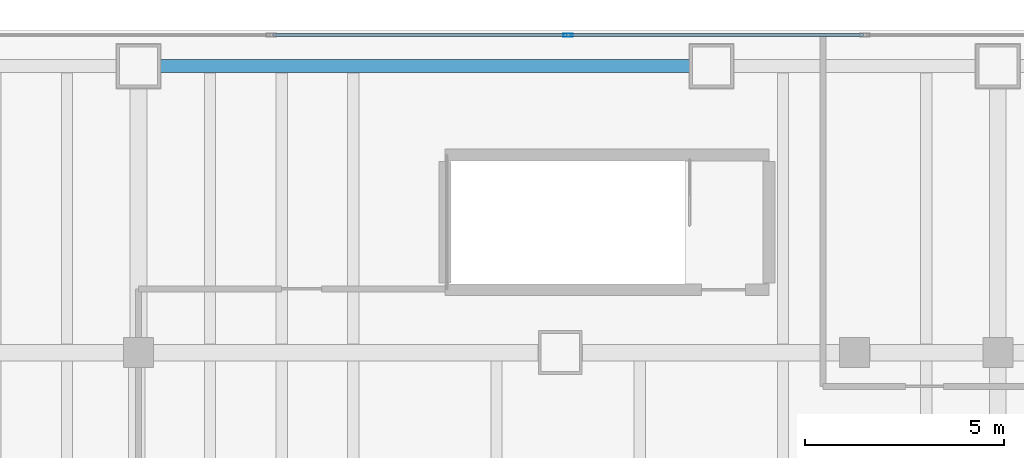
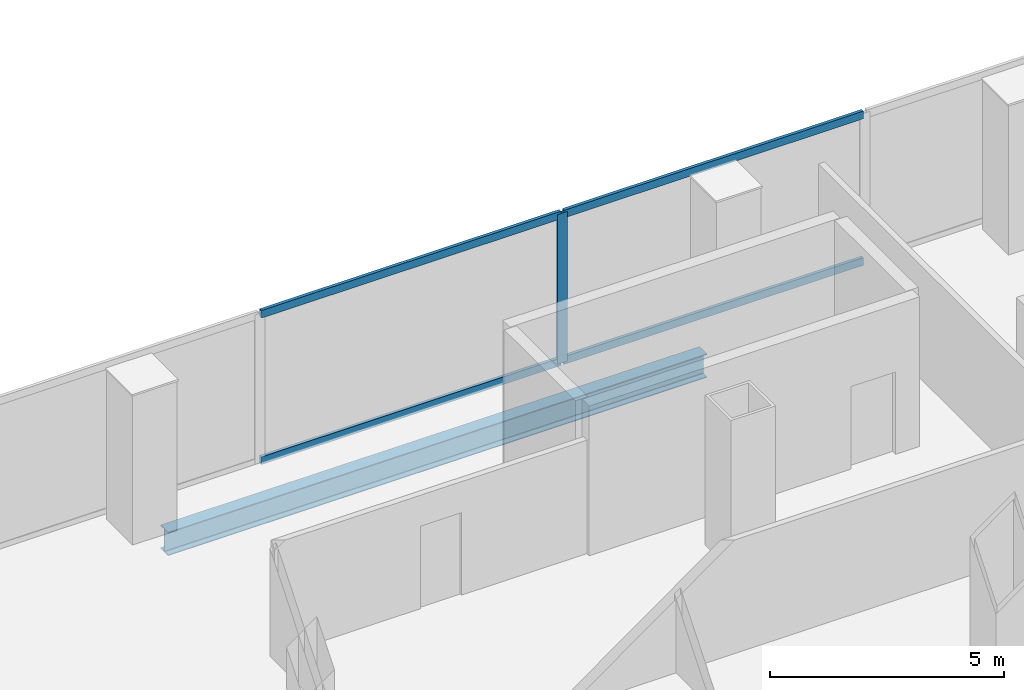
# One storey, part 12 of 32: 5 members, 1 beam, 1 element without a shape of its own.
"""IFC4 building model written with IfcOpenShell, lengths in metres."""

import ifcopenshell
import ifcopenshell.guid

model = None  # the IFC model being written
_history = None  # IfcOwnerHistory: only IFC2X3 demands one
_inside = {}  # id of a spatial element -> (the spatial element, [elements in it])
_under = {}  # id of a project, library or spatial element -> (it, [spatial elements below it])
_declared = {}  # id of a project -> (the project, [libraries it declares])
_typed = {}  # id of a type object -> (the type object, [elements of that type])
_made_of = {}  # id of a material, layer set ... -> (it, [elements and type objects made of it])


def new_model(schema):
    """Start an empty IFC model of exactly this schema.

    Asked for "IFC4X3", IfcOpenShell would pick the latest addendum, in which some entities
    have other attributes; the version numbers below select the first issue.
    IFC2X3 requires an IfcOwnerHistory on every rooted entity: one is made here for all.
    """
    global model, _history
    if schema == "IFC4X3":
        model = ifcopenshell.file(schema_version=(4, 3, 0, 0))
    else:
        model = ifcopenshell.file(schema=schema)
    _inside.clear()
    _under.clear()
    _declared.clear()
    _typed.clear()
    _made_of.clear()
    _history = None
    if model.schema == "IFC2X3":
        org = make("IfcOrganization", Name="unknown")
        user = make(
            "IfcPersonAndOrganization",
            ThePerson=make("IfcPerson", FamilyName="unknown"),
            TheOrganization=org,
        )
        app = make(
            "IfcApplication",
            ApplicationDeveloper=org,
            Version="unknown",
            ApplicationFullName="unknown",
            ApplicationIdentifier="unknown",
        )
        _history = make(
            "IfcOwnerHistory",
            OwningUser=user,
            OwningApplication=app,
            ChangeAction="ADDED",
            CreationDate=0,
        )
    return model


def make(cls, **values):
    """One entity of the class cls with the attributes given. An attribute that is None is left unset."""
    return model.create_entity(
        cls, **{name: value for name, value in values.items() if value is not None}
    )


def rooted(cls, **values):
    """An entity with a GlobalId (a new one), such as an element, a storey or a relation."""
    return make(cls, GlobalId=ifcopenshell.guid.new(), OwnerHistory=_history, **values)


def si_unit(unit_type, name, prefix=None):
    """IfcSIUnit, for example si_unit("LENGTHUNIT", "METRE", prefix="MILLI")."""
    return make("IfcSIUnit", UnitType=unit_type, Prefix=prefix, Name=name)


def assignment(units):
    """IfcUnitAssignment: the units of a project."""
    return None if units is None else make("IfcUnitAssignment", Units=units)


def point(xyz):
    """IfcCartesianPoint."""
    return None if xyz is None else make("IfcCartesianPoint", Coordinates=xyz)


def direction(xyz):
    """IfcDirection."""
    return None if xyz is None else make("IfcDirection", DirectionRatios=xyz)


def frame(location, z_axis=None, x_axis=None):
    """IfcAxis2Placement3D, a coordinate frame: its origin and axes. An axis left out is left unset."""
    return make(
        "IfcAxis2Placement3D",
        Location=point(location),
        Axis=direction(z_axis),
        RefDirection=direction(x_axis),
    )


def frame_2d(location, x_axis=None):
    """IfcAxis2Placement2D, a coordinate frame in the plane: its origin and x axis."""
    return make(
        "IfcAxis2Placement2D", Location=point(location), RefDirection=direction(x_axis)
    )


def origin():
    """The frame at (0, 0, 0) with its axes left unset."""
    return frame((0.0, 0.0, 0.0))


def origin_2d():
    """The frame at (0, 0) in the plane with its x axis left unset."""
    return frame_2d((0.0, 0.0))


def place(relative_to, where):
    """IfcLocalPlacement: puts the frame where relative to a parent placement (None: the world)."""
    return make(
        "IfcLocalPlacement", PlacementRelTo=relative_to, RelativePlacement=where
    )


def context(
    kind, dimensions, precision=None, world=None, true_north=None, identifier=None
):
    """IfcGeometricRepresentationContext, for example the 3D "Model" context."""
    return make(
        "IfcGeometricRepresentationContext",
        ContextIdentifier=identifier,
        ContextType=kind,
        CoordinateSpaceDimension=dimensions,
        Precision=precision,
        WorldCoordinateSystem=world,
        TrueNorth=true_north,
    )


def subcontext(parent, identifier, kind, view, scale=None):
    """IfcGeometricRepresentationSubContext, for example "Body" below "Model"."""
    return make(
        "IfcGeometricRepresentationSubContext",
        ContextIdentifier=identifier,
        ContextType=kind,
        ParentContext=parent,
        TargetScale=scale,
        TargetView=view,
    )


def project(units=None, contexts=None):
    """IfcProject with its units and contexts."""
    return rooted(
        "IfcProject",
        Name="project",
        RepresentationContexts=contexts,
        UnitsInContext=assignment(units),
    )


def spatial(cls, under=None, at=None, **own):
    """A site, building, storey or space (cls), placed at a placement, below another one or the project."""
    s = rooted(cls, ObjectPlacement=at, **own)
    if under is not None:
        _under.setdefault(under.id(), (under, []))[1].append(s)
    return s


def profile(cls, at=None, kind="AREA", **sizes):
    """A parametric profile (cls). Its sizes go by their IFC names, for example OverallWidth=200.0."""
    return make(cls, ProfileType=kind, Position=at, **sizes)


def hollow_rectangle(**sizes):
    """IfcRectangleHollowProfileDef."""
    return profile("IfcRectangleHollowProfileDef", **sizes)


def i_section(**sizes):
    """IfcIShapeProfileDef."""
    return profile("IfcIShapeProfileDef", **sizes)


def extrude(swept, where, along, depth):
    """IfcExtrudedAreaSolid: the profile swept, set in the frame where, extruded along a direction by depth."""
    return make(
        "IfcExtrudedAreaSolid",
        SweptArea=swept,
        Position=where,
        ExtrudedDirection=direction(along),
        Depth=depth,
    )


def shape(context_of_items, identifier, shape_type, items):
    """IfcShapeRepresentation: the items that make up one representation, for example the "Body"."""
    return make(
        "IfcShapeRepresentation",
        ContextOfItems=context_of_items,
        RepresentationIdentifier=identifier,
        RepresentationType=shape_type,
        Items=items,
    )


def material(Name=None, Category=None):
    """IfcMaterial."""
    return make("IfcMaterial", Name=Name, Category=Category)


def material_profile(
    of_material, cross_section, Name=None, Category=None, Priority=None
):
    """IfcMaterialProfile: a cross section and its material."""
    return make(
        "IfcMaterialProfile",
        Name=Name,
        Material=of_material,
        Profile=cross_section,
        Priority=Priority,
        Category=Category,
    )


def profile_set(profiles, Name=None, composite=None):
    """IfcMaterialProfileSet."""
    return make(
        "IfcMaterialProfileSet",
        Name=Name,
        MaterialProfiles=profiles,
        CompositeProfile=composite,
    )


def made_of(thing, what):
    """Note that an element or type object is made of a material, layer set ...; save() writes the relation."""
    if what is not None:
        _made_of.setdefault(what.id(), (what, []))[1].append(thing)
    return thing


def type_object(cls, material=None, **own):
    """A type object (cls), such as IfcWallType, which elements share."""
    return made_of(rooted(cls, **own), material)


def element(
    cls,
    number,
    at=None,
    inside=None,
    cuts=None,
    type_object=None,
    material=None,
    context=None,
    identifier="Body",
    shape_type=None,
    held_by="IfcProductDefinitionShape",
    body=None,
    shapes=None,
    **own,
):
    """One element of the class cls, such as IfcWall. Its Tag is "e" and its number.

    at: its placement. inside: the storey or other place that contains it. cuts: it is an
    opening in that element (IfcRelVoidsElement). A single representation is given by context,
    identifier, shape_type and body (its items); several are given by shapes. held_by: the class
    of the entity that holds the representations. save() writes the other relations.
    """
    e = rooted(cls, Tag="e%d" % number, ObjectPlacement=at, **own)
    if body is not None:
        shapes = [shape(context, identifier, shape_type, body)]
    if shapes is not None:
        e.Representation = make(held_by, Representations=shapes)
    if inside is not None:
        _inside.setdefault(inside.id(), (inside, []))[1].append(e)
    if cuts is not None:
        rooted(
            "IfcRelVoidsElement", RelatingBuildingElement=cuts, RelatedOpeningElement=e
        )
    if type_object is not None:
        _typed.setdefault(type_object.id(), (type_object, []))[1].append(e)
    return made_of(e, material)


def aggregate(whole, parts):
    """IfcRelAggregates: a whole, such as a stair, and the parts it consists of."""
    return rooted("IfcRelAggregates", RelatingObject=whole, RelatedObjects=parts)


def save(model, path):
    """Write the relations noted so far, then the file.

    IfcRelAggregates (storeys below a building ...), IfcRelContainedInSpatialStructure (elements
    in a storey), IfcRelDefinesByType, IfcRelAssociatesMaterial and IfcRelDeclares: one each for
    every whole, place, type object, material and project.
    """
    for whole, parts in _under.values():
        aggregate(whole, parts)
    for where, things in _inside.values():
        rooted(
            "IfcRelContainedInSpatialStructure",
            RelatedElements=things,
            RelatingStructure=where,
        )
    for kind, things in _typed.values():
        rooted("IfcRelDefinesByType", RelatedObjects=things, RelatingType=kind)
    for what, things in _made_of.values():
        rooted("IfcRelAssociatesMaterial", RelatedObjects=things, RelatingMaterial=what)
    for by, libraries in _declared.values():
        rooted("IfcRelDeclares", RelatingContext=by, RelatedDefinitions=libraries)
    model.write(path)


model = new_model("IFC4")

# Units and contexts
model_context = context("Model", 3, precision=1e-05, world=origin(), true_north=direction((0.0, 1.0)))
body_context = subcontext(model_context, "Body", "Model", "MODEL_VIEW")
ifc_project = project(units=[si_unit("LENGTHUNIT", "METRE"), si_unit("AREAUNIT", "SQUARE_METRE"), si_unit("VOLUMEUNIT", "CUBIC_METRE"), si_unit("PLANEANGLEUNIT", "RADIAN"), si_unit("MASSUNIT", "GRAM", prefix="KILO")], contexts=[model_context])

# Site, building, storey
site_placement = place(None, origin())
site = spatial("IfcSite", under=ifc_project, at=site_placement, CompositionType="ELEMENT")
building_placement = place(site_placement, origin())
building = spatial("IfcBuilding", under=site, at=building_placement, Name="Cobrela Telecom Tower", CompositionType="ELEMENT")
storey_placement = place(building_placement, frame((0.0, 0.0, 22.050048828125)))
storey = spatial("IfcBuildingStorey", under=building, at=storey_placement, Name="L05", CompositionType="ELEMENT", Elevation=22.050048828125)

# Beam
ifc_material_1 = material(Name="Steel ASTM A992 Grade 50", Category="steel")
ifc_material_profile_1 = material_profile(ifc_material_1, i_section(OverallWidth=0.324951171875, OverallDepth=0.612060546875, WebThickness=0.0126953125, FlangeThickness=0.01904296875, FilletRadius=0.014892578125, at=origin_2d()), Name="W24X104")
ifc_profile_set_1 = profile_set([ifc_material_profile_1], Name="Steel ASTM A992 Grade 50")
beam_type = type_object("IfcBeamType", Name="BM-SPAND-02", PredefinedType="SPANDREL", material=ifc_profile_set_1)
beam_placement = place(storey_placement, frame((14.955078125, 49.5, -0.595947265625), z_axis=(1.0, 0.0, 0.0), x_axis=(0.0, 1.0, 0.0)))
element("IfcBeam", 1, at=beam_placement, inside=storey, type_object=beam_type, Name="L05 Perimeter Spandrel X53", PredefinedType="SPANDREL", context=body_context, shape_type="SweptSolid", body=[
    extrude(i_section(OverallWidth=0.324951171875, OverallDepth=0.612060546875, WebThickness=0.0126953125, FlangeThickness=0.01904296875, FilletRadius=0.014892578125, at=origin_2d()), origin(), (0.0, 0.0, 1.0), 13.2900390625),
])

# Curtain wall, members
ifc_material_2 = material(Name="Anodized Bronze Aluminium 6063-T6", Category="aluminium")
curtain_wall_type = type_object("IfcCurtainWallType", Name="CW-SYS-CONC", PredefinedType="USERDEFINED", material=ifc_material_2)
curtain_wall_placement = place(storey_placement, origin())
curtain_wall = element("IfcCurtainWall", 2, at=curtain_wall_placement, inside=storey, type_object=curtain_wall_type, Name="L05 Unitised Bronze Curtain Wall 07", ObjectType="UNITISED CURTAIN WALL", PredefinedType="USERDEFINED")
ifc_material_profile_2 = material_profile(ifc_material_2, hollow_rectangle(XDim=0.080078125, YDim=0.239990234375, WallThickness=0.0048828125, at=origin_2d()), Name="ALU 80x240x5")
ifc_profile_set_2 = profile_set([ifc_material_profile_2], Name="Anodized Bronze Aluminium 6063-T6")
member_type_1 = type_object("IfcMemberType", Name="CW-SYS-CONC-MUL", PredefinedType="MULLION", material=ifc_profile_set_2)
member_1_placement = place(storey_placement, frame((25.199951171875, 50.280029296875, 0.0), z_axis=(0.0, 0.0, 1.0), x_axis=(0.0, 1.0, 0.0)))
member_1 = element("IfcMember", 3, at=member_1_placement, type_object=member_type_1, Name="CW-CONC mullion 4", PredefinedType="MULLION", context=body_context, shape_type="SweptSolid", body=[
    extrude(hollow_rectangle(XDim=0.080078125, YDim=0.239990234375, WallThickness=0.0048828125, at=origin_2d()), origin(), (0.0, 0.0, 1.0), 3.89990234375),
])
ifc_material_profile_3 = material_profile(ifc_material_2, hollow_rectangle(XDim=0.080078125, YDim=0.199951171875, WallThickness=0.00390625, at=origin_2d()), Name="ALU 80x200x4")
ifc_profile_set_3 = profile_set([ifc_material_profile_3], Name="Anodized Bronze Aluminium 6063-T6")
member_type_2 = type_object("IfcMemberType", Name="CW-SYS-CONC-TRN", PredefinedType="USERDEFINED", material=ifc_profile_set_3)
member_2_placement = place(storey_placement, frame((17.780029296875, 50.280029296875, 0.0400390625), z_axis=(1.0, 0.0, 0.0), x_axis=(0.0, 1.0, 0.0)))
member_2 = element("IfcMember", 4, at=member_2_placement, type_object=member_type_2, Name="CW-CONC transom 3.1", ObjectType="TRANSOM", PredefinedType="USERDEFINED", context=body_context, shape_type="SweptSolid", body=[
    extrude(hollow_rectangle(XDim=0.080078125, YDim=0.199951171875, WallThickness=0.00390625, at=origin_2d()), origin(), (0.0, 0.0, 1.0), 7.3798828125),
])
member_3_placement = place(storey_placement, frame((17.780029296875, 50.280029296875, 3.85986328125), z_axis=(1.0, 0.0, 0.0), x_axis=(0.0, 1.0, 0.0)))
member_3 = element("IfcMember", 5, at=member_3_placement, type_object=member_type_2, Name="CW-CONC transom 3.2", ObjectType="TRANSOM", PredefinedType="USERDEFINED", context=body_context, shape_type="SweptSolid", body=[
    extrude(hollow_rectangle(XDim=0.080078125, YDim=0.199951171875, WallThickness=0.00390625, at=origin_2d()), origin(), (0.0, 0.0, 1.0), 7.3798828125),
])
member_4_placement = place(storey_placement, frame((25.239990234375, 50.280029296875, 0.0400390625), z_axis=(1.0, 0.0, 0.0), x_axis=(0.0, 1.0, 0.0)))
member_4 = element("IfcMember", 6, at=member_4_placement, type_object=member_type_2, Name="CW-CONC transom 4.1", ObjectType="TRANSOM", PredefinedType="USERDEFINED", context=body_context, shape_type="SweptSolid", body=[
    extrude(hollow_rectangle(XDim=0.080078125, YDim=0.199951171875, WallThickness=0.00390625, at=origin_2d()), origin(), (0.0, 0.0, 1.0), 7.380126953125),
])
member_5_placement = place(storey_placement, frame((25.239990234375, 50.280029296875, 3.85986328125), z_axis=(1.0, 0.0, 0.0), x_axis=(0.0, 1.0, 0.0)))
member_5 = element("IfcMember", 7, at=member_5_placement, type_object=member_type_2, Name="CW-CONC transom 4.2", ObjectType="TRANSOM", PredefinedType="USERDEFINED", context=body_context, shape_type="SweptSolid", body=[
    extrude(hollow_rectangle(XDim=0.080078125, YDim=0.199951171875, WallThickness=0.00390625, at=origin_2d()), origin(), (0.0, 0.0, 1.0), 7.380126953125),
])
aggregate(curtain_wall, [member_1, member_2, member_3, member_4, member_5])

save(model, "model.ifc")
